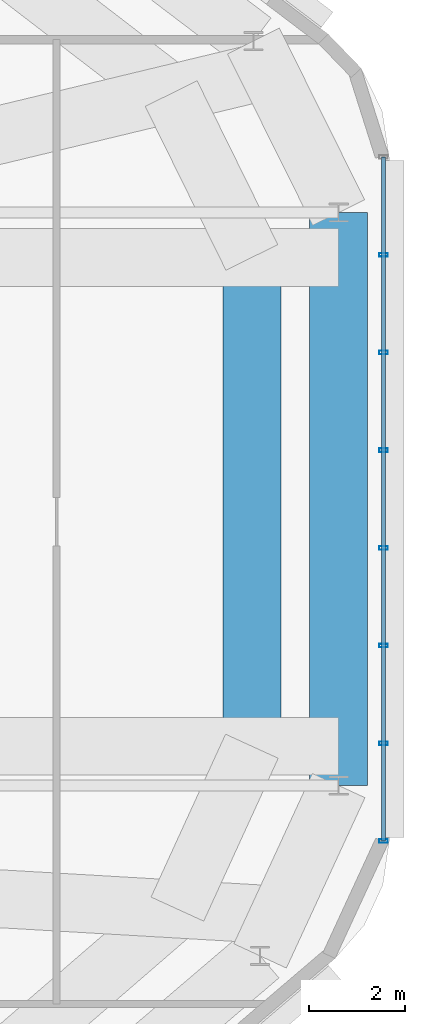
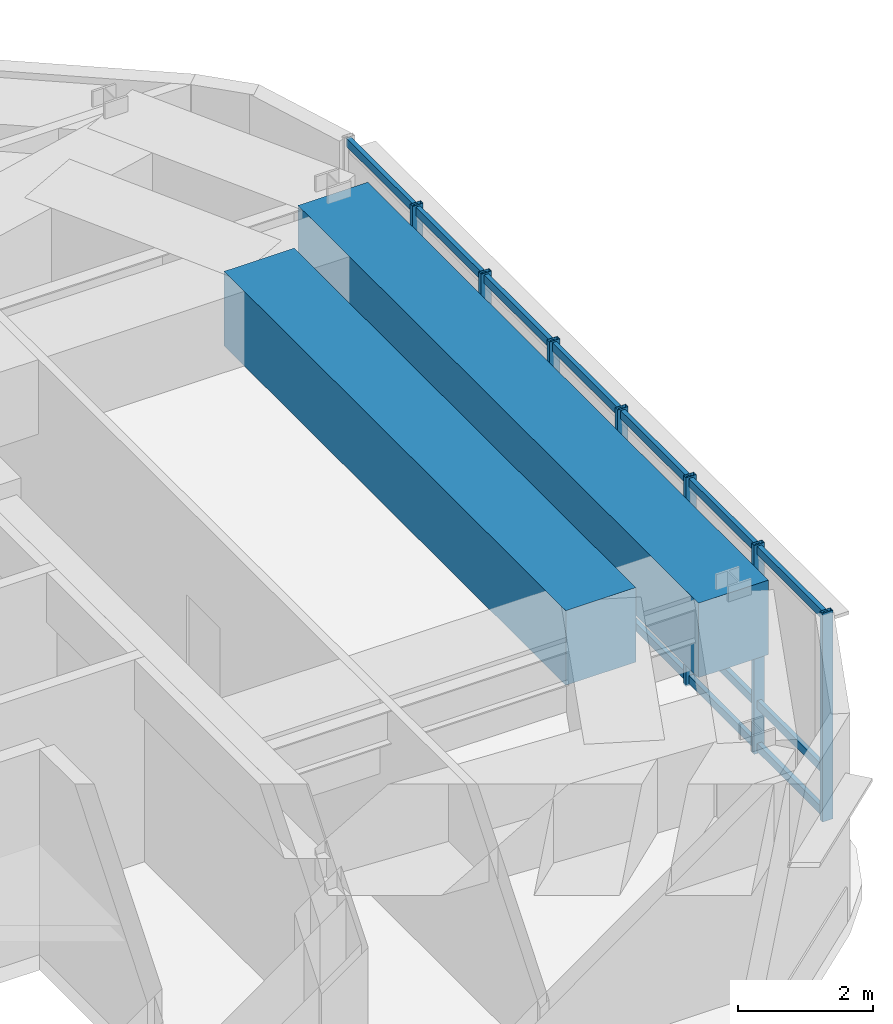
# One storey, part 6 of 12: 10 members, 2 beams, 1 element without a shape of its own.
"""IFC4 building model written with IfcOpenShell, lengths in metres."""

from ifc_helpers import new_model, si_unit, direction, frame, origin, origin_2d, place, context, subcontext, project, spatial, rectangle, hollow_rectangle, extrude, material, material_profile, profile_set, type_object, element, aggregate, save


model = new_model("IFC4")

# Units and contexts
model_context = context("Model", 3, precision=1e-05, world=origin(), true_north=direction((0.0, 1.0)))
body_context = subcontext(model_context, "Body", "Model", "MODEL_VIEW")
ifc_project = project(units=[si_unit("LENGTHUNIT", "METRE"), si_unit("AREAUNIT", "SQUARE_METRE"), si_unit("VOLUMEUNIT", "CUBIC_METRE"), si_unit("PLANEANGLEUNIT", "RADIAN"), si_unit("MASSUNIT", "GRAM", prefix="KILO")], contexts=[model_context])

# Site, building, storey
site_placement = place(None, origin())
site = spatial("IfcSite", under=ifc_project, at=site_placement, CompositionType="ELEMENT")
building_placement = place(site_placement, origin())
building = spatial("IfcBuilding", under=site, at=building_placement, Name="Zulverin Broadcast Headquarters", CompositionType="ELEMENT")
storey_placement = place(building_placement, frame((0.0, 0.0, 325.39990234375)))
storey = spatial("IfcBuildingStorey", under=building, at=storey_placement, Name="C4", CompositionType="ELEMENT", Elevation=325.39990234375)

# Beams
ifc_material_1 = material(Name="Concrete C50/60", Category="concrete")
ifc_material_profile_1 = material_profile(ifc_material_1, rectangle(XDim=1.199951171875, YDim=1.35009765625, at=origin_2d()), Name="Concrete C50/60", Category="concrete")
ifc_profile_set_1 = profile_set([ifc_material_profile_1], Name="Concrete C50/60")
beam_type = type_object("IfcBeamType", Name="BM-TG-CRN-1350", PredefinedType="USERDEFINED", material=ifc_profile_set_1)
beam_1_placement = place(storey_placement, frame((56.550048828125, 19.72998046875, 3.045166015625), z_axis=(0.0, 1.0, 0.0), x_axis=(-1.0, 0.0, 0.0)))
element("IfcBeam", 1, at=beam_1_placement, inside=storey, type_object=beam_type, Name="C4 Perimeter Transfer Ring Girder SP-05", ObjectType="TRANSFER GIRDER", PredefinedType="USERDEFINED", context=body_context, shape_type="SweptSolid", body=[
    extrude(rectangle(XDim=1.199951171875, YDim=1.35009765625, at=origin_2d()), origin(), (0.0, 0.0, 1.0), 11.883056640625),
])
beam_2_placement = place(storey_placement, frame((54.75, 20.546142578125, 3.045166015625), z_axis=(0.0, 1.0, 0.0), x_axis=(-1.0, 0.0, 0.0)))
element("IfcBeam", 2, at=beam_2_placement, inside=storey, type_object=beam_type, Name="C5 Step Transfer Ring Girder TGR-05", ObjectType="TRANSFER GIRDER", PredefinedType="USERDEFINED", context=body_context, shape_type="SweptSolid", body=[
    extrude(rectangle(XDim=1.199951171875, YDim=1.35009765625, at=origin_2d()), origin(), (0.0, 0.0, 1.0), 10.1376953125),
])

# Curtain wall, members
ifc_material_2 = material(Name="Crown damper-hall structural glass curtain wall", Category="glass")
curtain_wall_type = type_object("IfcCurtainWallType", Name="CW-CRN", PredefinedType="USERDEFINED", material=ifc_material_2)
curtain_wall_placement = place(storey_placement, origin())
curtain_wall = element("IfcCurtainWall", 3, at=curtain_wall_placement, inside=storey, type_object=curtain_wall_type, Name="C4 Unitised Curtain Wall CW-C4-E3", ObjectType="UNITISED CURTAIN WALL", PredefinedType="USERDEFINED")
ifc_material_3 = material(Name="Anodized pale-metal aluminium alloy 6063-T6", Category="aluminium")
ifc_material_profile_2 = material_profile(ifc_material_3, hollow_rectangle(XDim=0.074951171875, YDim=0.179931640625, WallThickness=0.0048828125, at=origin_2d()), Name="Anodized pale-metal aluminium alloy 6063-T6", Category="aluminium")
ifc_profile_set_2 = profile_set([ifc_material_profile_2], Name="Anodized pale-metal aluminium alloy 6063-T6")
member_type_1 = type_object("IfcMemberType", Name="CW-MUL-180", PredefinedType="MULLION", material=ifc_profile_set_2)
member_1_placement = place(storey_placement, frame((57.47998046875, 18.579833984375, -0.02978515625), z_axis=(0.0, 0.0, 1.0), x_axis=(0.0, 1.0, 0.0)))
member_1 = element("IfcMember", 4, at=member_1_placement, type_object=member_type_1, Name="CW-C4-E3 Mullion 00", PredefinedType="MULLION", context=body_context, shape_type="SweptSolid", body=[
    extrude(hollow_rectangle(XDim=0.074951171875, YDim=0.179931640625, WallThickness=0.0048828125, at=origin_2d()), origin(), (0.0, 0.0, 1.0), 3.77978515625),
])
member_2_placement = place(storey_placement, frame((57.47998046875, 20.606201171875, -0.02978515625), z_axis=(0.0, 0.0, 1.0), x_axis=(0.0, 1.0, 0.0)))
member_2 = element("IfcMember", 5, at=member_2_placement, type_object=member_type_1, Name="CW-C4-E3 Mullion 01", PredefinedType="MULLION", context=body_context, shape_type="SweptSolid", body=[
    extrude(hollow_rectangle(XDim=0.074951171875, YDim=0.179931640625, WallThickness=0.0048828125, at=origin_2d()), origin(), (0.0, 0.0, 1.0), 3.77978515625),
])
member_3_placement = place(storey_placement, frame((57.47998046875, 22.632080078125, -0.02978515625), z_axis=(0.0, 0.0, 1.0), x_axis=(0.0, 1.0, 0.0)))
member_3 = element("IfcMember", 6, at=member_3_placement, type_object=member_type_1, Name="CW-C4-E3 Mullion 02", PredefinedType="MULLION", context=body_context, shape_type="SweptSolid", body=[
    extrude(hollow_rectangle(XDim=0.074951171875, YDim=0.179931640625, WallThickness=0.0048828125, at=origin_2d()), origin(), (0.0, 0.0, 1.0), 3.77978515625),
])
member_4_placement = place(storey_placement, frame((57.47998046875, 24.658447265625, -0.02978515625), z_axis=(0.0, 0.0, 1.0), x_axis=(0.0, 1.0, 0.0)))
member_4 = element("IfcMember", 7, at=member_4_placement, type_object=member_type_1, Name="CW-C4-E3 Mullion 03", PredefinedType="MULLION", context=body_context, shape_type="SweptSolid", body=[
    extrude(hollow_rectangle(XDim=0.074951171875, YDim=0.179931640625, WallThickness=0.0048828125, at=origin_2d()), origin(), (0.0, 0.0, 1.0), 3.77978515625),
])
member_5_placement = place(storey_placement, frame((57.47998046875, 26.6845703125, -0.02978515625), z_axis=(0.0, 0.0, 1.0), x_axis=(0.0, 1.0, 0.0)))
member_5 = element("IfcMember", 8, at=member_5_placement, type_object=member_type_1, Name="CW-C4-E3 Mullion 04", PredefinedType="MULLION", context=body_context, shape_type="SweptSolid", body=[
    extrude(hollow_rectangle(XDim=0.074951171875, YDim=0.179931640625, WallThickness=0.0048828125, at=origin_2d()), origin(), (0.0, 0.0, 1.0), 3.77978515625),
])
member_6_placement = place(storey_placement, frame((57.47998046875, 28.710693359375, -0.02978515625), z_axis=(0.0, 0.0, 1.0), x_axis=(0.0, 1.0, 0.0)))
member_6 = element("IfcMember", 9, at=member_6_placement, type_object=member_type_1, Name="CW-C4-E3 Mullion 05", PredefinedType="MULLION", context=body_context, shape_type="SweptSolid", body=[
    extrude(hollow_rectangle(XDim=0.074951171875, YDim=0.179931640625, WallThickness=0.0048828125, at=origin_2d()), origin(), (0.0, 0.0, 1.0), 3.77978515625),
])
member_7_placement = place(storey_placement, frame((57.47998046875, 30.73681640625, -0.02978515625), z_axis=(0.0, 0.0, 1.0), x_axis=(0.0, 1.0, 0.0)))
member_7 = element("IfcMember", 10, at=member_7_placement, type_object=member_type_1, Name="CW-C4-E3 Mullion 06", PredefinedType="MULLION", context=body_context, shape_type="SweptSolid", body=[
    extrude(hollow_rectangle(XDim=0.074951171875, YDim=0.179931640625, WallThickness=0.0048828125, at=origin_2d()), origin(), (0.0, 0.0, 1.0), 3.77978515625),
])
ifc_material_profile_3 = material_profile(ifc_material_3, hollow_rectangle(XDim=0.074951171875, YDim=0.14990234375, WallThickness=0.0048828125, at=origin_2d()), Name="Anodized pale-metal aluminium alloy 6063-T6", Category="aluminium")
ifc_profile_set_3 = profile_set([ifc_material_profile_3], Name="Anodized pale-metal aluminium alloy 6063-T6")
member_type_2 = type_object("IfcMemberType", Name="CW-TRN-150", PredefinedType="USERDEFINED", material=ifc_profile_set_3)
member_8_placement = place(storey_placement, frame((57.47998046875, 18.579833984375, 0.0751953125), z_axis=(0.0, 1.0, 0.0), x_axis=(-1.0, 0.0, 0.0)))
member_8 = element("IfcMember", 11, at=member_8_placement, type_object=member_type_2, Name="CW-C4-E3 Transom 0", ObjectType="TRANSOM", PredefinedType="USERDEFINED", context=body_context, shape_type="SweptSolid", body=[
    extrude(hollow_rectangle(XDim=0.074951171875, YDim=0.14990234375, WallThickness=0.0048828125, at=origin_2d()), origin(), (0.0, 0.0, 1.0), 14.18310546875),
])
member_9_placement = place(storey_placement, frame((57.47998046875, 18.579833984375, 0.85009765625), z_axis=(0.0, 1.0, 0.0), x_axis=(-1.0, 0.0, 0.0)))
member_9 = element("IfcMember", 12, at=member_9_placement, type_object=member_type_2, Name="CW-C4-E3 Transom 1", ObjectType="TRANSOM", PredefinedType="USERDEFINED", context=body_context, shape_type="SweptSolid", body=[
    extrude(hollow_rectangle(XDim=0.074951171875, YDim=0.14990234375, WallThickness=0.0048828125, at=origin_2d()), origin(), (0.0, 0.0, 1.0), 14.18310546875),
])
member_10_placement = place(storey_placement, frame((57.47998046875, 18.579833984375, 3.64501953125), z_axis=(0.0, 1.0, 0.0), x_axis=(-1.0, 0.0, 0.0)))
member_10 = element("IfcMember", 13, at=member_10_placement, type_object=member_type_2, Name="CW-C4-E3 Transom 2", ObjectType="TRANSOM", PredefinedType="USERDEFINED", context=body_context, shape_type="SweptSolid", body=[
    extrude(hollow_rectangle(XDim=0.074951171875, YDim=0.14990234375, WallThickness=0.0048828125, at=origin_2d()), origin(), (0.0, 0.0, 1.0), 14.18310546875),
])
aggregate(curtain_wall, [member_1, member_2, member_3, member_4, member_5, member_6, member_7, member_8, member_9, member_10])

save(model, "model.ifc")
